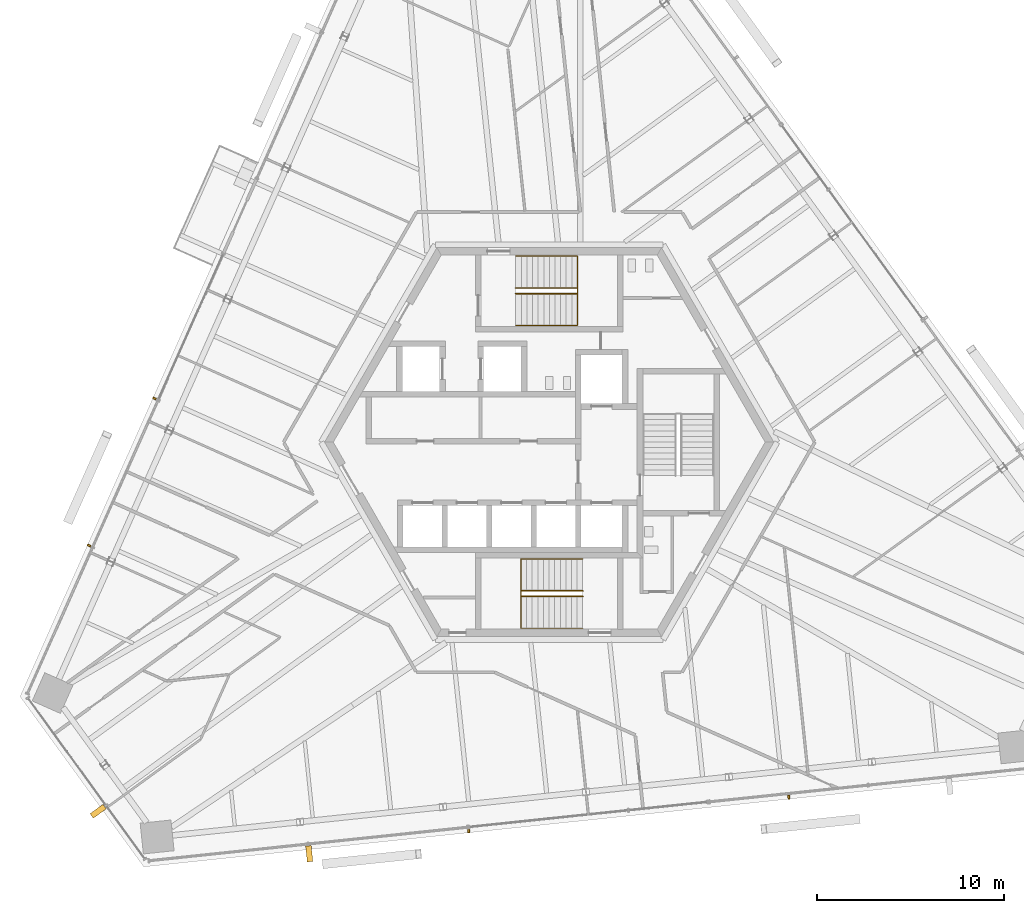
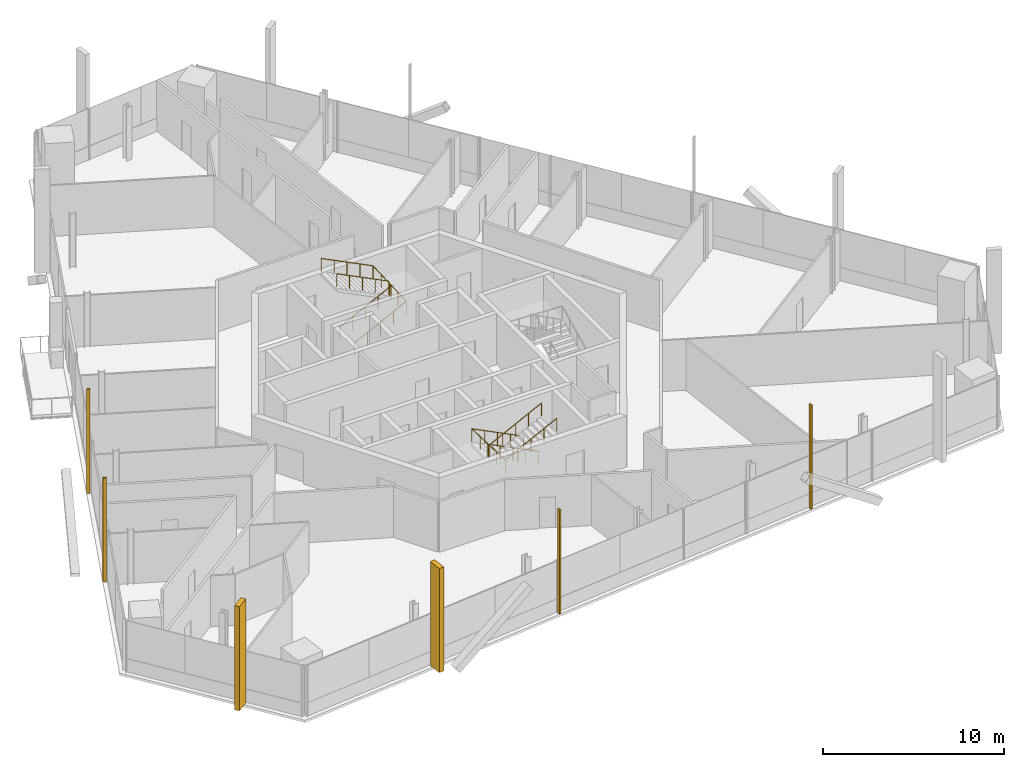
# One storey, part 15 of 20: 6 shading devices, 4 railings.
"""IFC4 building model written with IfcOpenShell, lengths in metres."""

from ifc_helpers import new_model, si_unit, direction, frame, origin, origin_2d, place, context, subcontext, project, spatial, rectangle, circle, extrude, source, transform, mapped, material, type_object, element, save


model = new_model("IFC4")

# Units and contexts
model_context = context("Model", 3, precision=1e-05, world=origin(), true_north=direction((0.0, 1.0)))
body_context = subcontext(model_context, "Body", "Model", "MODEL_VIEW")
ifc_project = project(units=[si_unit("LENGTHUNIT", "METRE"), si_unit("AREAUNIT", "SQUARE_METRE"), si_unit("VOLUMEUNIT", "CUBIC_METRE"), si_unit("PLANEANGLEUNIT", "RADIAN"), si_unit("MASSUNIT", "GRAM", prefix="KILO")], contexts=[model_context])

# Site, building, storey
site_placement = place(None, origin())
site = spatial("IfcSite", under=ifc_project, at=site_placement, CompositionType="ELEMENT")
building_placement = place(site_placement, origin())
building = spatial("IfcBuilding", under=site, at=building_placement, Name="Triune Harvest Tower", CompositionType="ELEMENT")
storey_placement = place(building_placement, frame((0.0, 0.0, 226.89990234375)))
storey = spatial("IfcBuildingStorey", under=building, at=storey_placement, Name="L59", CompositionType="ELEMENT", Elevation=226.89990234375)

# Railings
ifc_material_1 = material(Name="Stainless steel AISI 316", Category="steel")
railing_type = type_object("IfcRailingType", Name="Stair handrail", PredefinedType="HANDRAIL", material=ifc_material_1)
shared_shape_1 = source(origin(), body_context, "Body", "SweptSolid", [
    extrude(circle(Radius=0.02392578125, at=origin_2d()), frame((0.0, 0.0, 0.8759765625), z_axis=(0.894440424912, 0.0, 0.447187126696), x_axis=(0.0, 1.0, 0.0)), (0.0, 0.0, 1.0), 3.689453125),
    extrude(circle(Radius=0.02392578125, at=origin_2d()), frame((3.300048828125, 0.0, 2.52587890625), z_axis=(0.0, 0.999177620331, 0.040547293732), x_axis=(-1.0, 0.0, 0.0)), (0.0, 0.0, 1.0), 3.702880859375),
    extrude(circle(Radius=0.02392578125, at=origin_2d()), frame((3.300048828125, 3.699951171875, 2.67578125), z_axis=(-0.894440424912, 0.0, 0.447187126696), x_axis=(0.0, -1.0, 0.0)), (0.0, 0.0, 1.0), 3.689453125),
    extrude(circle(Radius=0.02099609375, at=origin_2d()), origin(), (0.0, 0.0, 1.0), 0.851806640625),
    extrude(circle(Radius=0.02099609375, at=origin_2d()), frame((0.824951171875, 0.0, 0.41259765625)), (0.0, 0.0, 1.0), 0.851806640625),
    extrude(circle(Radius=0.02099609375, at=origin_2d()), frame((1.64990234375, 0.0, 0.824951171875)), (0.0, 0.0, 1.0), 0.851806640625),
    extrude(circle(Radius=0.02099609375, at=origin_2d()), frame((2.47509765625, 0.0, 1.2373046875)), (0.0, 0.0, 1.0), 0.851806640625),
    extrude(circle(Radius=0.02099609375, at=origin_2d()), frame((3.300048828125, 0.0, 1.64990234375)), (0.0, 0.0, 1.0), 0.851806640625),
    extrude(circle(Radius=0.02099609375, at=origin_2d()), frame((3.300048828125, 0.925048828125, 1.6875)), (0.0, 0.0, 1.0), 0.851806640625),
    extrude(circle(Radius=0.02099609375, at=origin_2d()), frame((3.300048828125, 1.85009765625, 1.72509765625)), (0.0, 0.0, 1.0), 0.851806640625),
    extrude(circle(Radius=0.02099609375, at=origin_2d()), frame((3.300048828125, 2.77490234375, 1.762451171875)), (0.0, 0.0, 1.0), 0.851806640625),
    extrude(circle(Radius=0.02099609375, at=origin_2d()), frame((3.300048828125, 3.699951171875, 1.800048828125)), (0.0, 0.0, 1.0), 0.851806640625),
    extrude(circle(Radius=0.02099609375, at=origin_2d()), frame((2.47509765625, 3.699951171875, 2.21240234375)), (0.0, 0.0, 1.0), 0.851806640625),
    extrude(circle(Radius=0.02099609375, at=origin_2d()), frame((1.64990234375, 3.699951171875, 2.625)), (0.0, 0.0, 1.0), 0.851806640625),
    extrude(circle(Radius=0.02099609375, at=origin_2d()), frame((0.824951171875, 3.699951171875, 3.03759765625)), (0.0, 0.0, 1.0), 0.851806640625),
    extrude(circle(Radius=0.02099609375, at=origin_2d()), frame((0.0, 3.699951171875, 3.449951171875)), (0.0, 0.0, 1.0), 0.851806640625),
])
railing_1_placement = place(storey_placement, frame((-1.7900390625, 6.239990234375, 0.150146484375)))
element("IfcRailing", 1, at=railing_1_placement, inside=storey, type_object=railing_type, Name="Exit stair north wall handrail", PredefinedType="HANDRAIL", context=body_context, shape_type="MappedRepresentation", body=[
    mapped(shared_shape_1, transform((0.0, 0.0, 0.0), scale=1.0)),
])
shared_shape_2 = source(origin(), body_context, "Body", "SweptSolid", [
    extrude(circle(Radius=0.02392578125, at=origin_2d()), frame((0.0, 0.0, 0.8759765625), z_axis=(0.894440424912, 0.0, 0.447187126696), x_axis=(0.0, 1.0, 0.0)), (0.0, 0.0, 1.0), 3.689453125),
    extrude(circle(Radius=0.02392578125, at=origin_2d()), frame((3.300048828125, 0.0, 2.52587890625), z_axis=(0.0, 0.894281613681, 0.447504631744), x_axis=(-1.0, 0.0, 0.0)), (0.0, 0.0, 1.0), 0.33544921875),
    extrude(circle(Radius=0.02392578125, at=origin_2d()), frame((3.300048828125, 0.300048828125, 2.67578125), z_axis=(-0.894440424912, 0.0, 0.447187126696), x_axis=(0.0, -1.0, 0.0)), (0.0, 0.0, 1.0), 3.689453125),
    extrude(circle(Radius=0.02099609375, at=origin_2d()), origin(), (0.0, 0.0, 1.0), 0.851806640625),
    extrude(circle(Radius=0.02099609375, at=origin_2d()), frame((0.824951171875, 0.0, 0.41259765625)), (0.0, 0.0, 1.0), 0.851806640625),
    extrude(circle(Radius=0.02099609375, at=origin_2d()), frame((1.64990234375, 0.0, 0.824951171875)), (0.0, 0.0, 1.0), 0.851806640625),
    extrude(circle(Radius=0.02099609375, at=origin_2d()), frame((2.47509765625, 0.0, 1.2373046875)), (0.0, 0.0, 1.0), 0.851806640625),
    extrude(circle(Radius=0.02099609375, at=origin_2d()), frame((3.300048828125, 0.0, 1.64990234375)), (0.0, 0.0, 1.0), 0.851806640625),
    extrude(circle(Radius=0.02099609375, at=origin_2d()), frame((3.300048828125, 0.300048828125, 1.800048828125)), (0.0, 0.0, 1.0), 0.851806640625),
    extrude(circle(Radius=0.02099609375, at=origin_2d()), frame((2.47509765625, 0.300048828125, 2.21240234375)), (0.0, 0.0, 1.0), 0.851806640625),
    extrude(circle(Radius=0.02099609375, at=origin_2d()), frame((1.64990234375, 0.300048828125, 2.625)), (0.0, 0.0, 1.0), 0.851806640625),
    extrude(circle(Radius=0.02099609375, at=origin_2d()), frame((0.824951171875, 0.300048828125, 3.03759765625)), (0.0, 0.0, 1.0), 0.851806640625),
    extrude(circle(Radius=0.02099609375, at=origin_2d()), frame((0.0, 0.300048828125, 3.449951171875)), (0.0, 0.0, 1.0), 0.851806640625),
])
railing_2_placement = place(storey_placement, frame((-1.7900390625, 7.93994140625, 0.150146484375)))
element("IfcRailing", 2, at=railing_2_placement, inside=storey, type_object=railing_type, Name="Exit stair north centre handrail", PredefinedType="HANDRAIL", context=body_context, shape_type="MappedRepresentation", body=[
    mapped(shared_shape_2, transform((0.0, 0.0, 0.0), scale=1.0)),
])
shared_shape_3 = source(origin(), body_context, "Body", "SweptSolid", [
    extrude(circle(Radius=0.02392578125, at=origin_2d()), frame((0.0, 0.0, 0.8759765625), z_axis=(-0.894440424912, 0.0, 0.447187126696), x_axis=(0.0, -1.0, 0.0)), (0.0, 0.0, 1.0), 3.689453125),
    extrude(circle(Radius=0.02392578125, at=origin_2d()), frame((-3.300048828125, 0.0, 2.52587890625), z_axis=(0.0, -0.999177620331, 0.040547293732), x_axis=(1.0, 0.0, 0.0)), (0.0, 0.0, 1.0), 3.702880859375),
    extrude(circle(Radius=0.02392578125, at=origin_2d()), frame((-3.300048828125, -3.699951171875, 2.67578125), z_axis=(0.894440424912, 0.0, 0.447187126696), x_axis=(0.0, 1.0, 0.0)), (0.0, 0.0, 1.0), 3.689453125),
    extrude(circle(Radius=0.02099609375, at=origin_2d()), origin(), (0.0, 0.0, 1.0), 0.851806640625),
    extrude(circle(Radius=0.02099609375, at=origin_2d()), frame((-0.824951171875, 0.0, 0.41259765625)), (0.0, 0.0, 1.0), 0.851806640625),
    extrude(circle(Radius=0.02099609375, at=origin_2d()), frame((-1.64990234375, 0.0, 0.824951171875)), (0.0, 0.0, 1.0), 0.851806640625),
    extrude(circle(Radius=0.02099609375, at=origin_2d()), frame((-2.47509765625, 0.0, 1.2373046875)), (0.0, 0.0, 1.0), 0.851806640625),
    extrude(circle(Radius=0.02099609375, at=origin_2d()), frame((-3.300048828125, 0.0, 1.64990234375)), (0.0, 0.0, 1.0), 0.851806640625),
    extrude(circle(Radius=0.02099609375, at=origin_2d()), frame((-3.300048828125, -0.925048828125, 1.6875)), (0.0, 0.0, 1.0), 0.851806640625),
    extrude(circle(Radius=0.02099609375, at=origin_2d()), frame((-3.300048828125, -1.85009765625, 1.72509765625)), (0.0, 0.0, 1.0), 0.851806640625),
    extrude(circle(Radius=0.02099609375, at=origin_2d()), frame((-3.300048828125, -2.77490234375, 1.762451171875)), (0.0, 0.0, 1.0), 0.851806640625),
    extrude(circle(Radius=0.02099609375, at=origin_2d()), frame((-3.300048828125, -3.699951171875, 1.800048828125)), (0.0, 0.0, 1.0), 0.851806640625),
    extrude(circle(Radius=0.02099609375, at=origin_2d()), frame((-2.47509765625, -3.699951171875, 2.21240234375)), (0.0, 0.0, 1.0), 0.851806640625),
    extrude(circle(Radius=0.02099609375, at=origin_2d()), frame((-1.64990234375, -3.699951171875, 2.625)), (0.0, 0.0, 1.0), 0.851806640625),
    extrude(circle(Radius=0.02099609375, at=origin_2d()), frame((-0.824951171875, -3.699951171875, 3.03759765625)), (0.0, 0.0, 1.0), 0.851806640625),
    extrude(circle(Radius=0.02099609375, at=origin_2d()), frame((0.0, -3.699951171875, 3.449951171875)), (0.0, 0.0, 1.0), 0.851806640625),
])
railing_3_placement = place(storey_placement, frame((1.7900390625, -6.239990234375, 0.150146484375)))
element("IfcRailing", 3, at=railing_3_placement, inside=storey, type_object=railing_type, Name="Exit stair south wall handrail", PredefinedType="HANDRAIL", context=body_context, shape_type="MappedRepresentation", body=[
    mapped(shared_shape_3, transform((0.0, 0.0, 0.0), scale=1.0)),
])
shared_shape_4 = source(origin(), body_context, "Body", "SweptSolid", [
    extrude(circle(Radius=0.02392578125, at=origin_2d()), frame((0.0, 0.0, 0.8759765625), z_axis=(-0.894440424912, 0.0, 0.447187126696), x_axis=(0.0, -1.0, 0.0)), (0.0, 0.0, 1.0), 3.689453125),
    extrude(circle(Radius=0.02392578125, at=origin_2d()), frame((-3.300048828125, 0.0, 2.52587890625), z_axis=(0.0, -0.894281613681, 0.447504631744), x_axis=(1.0, 0.0, 0.0)), (0.0, 0.0, 1.0), 0.33544921875),
    extrude(circle(Radius=0.02392578125, at=origin_2d()), frame((-3.300048828125, -0.300048828125, 2.67578125), z_axis=(0.894440424912, 0.0, 0.447187126696), x_axis=(0.0, 1.0, 0.0)), (0.0, 0.0, 1.0), 3.689453125),
    extrude(circle(Radius=0.02099609375, at=origin_2d()), origin(), (0.0, 0.0, 1.0), 0.851806640625),
    extrude(circle(Radius=0.02099609375, at=origin_2d()), frame((-0.824951171875, 0.0, 0.41259765625)), (0.0, 0.0, 1.0), 0.851806640625),
    extrude(circle(Radius=0.02099609375, at=origin_2d()), frame((-1.64990234375, 0.0, 0.824951171875)), (0.0, 0.0, 1.0), 0.851806640625),
    extrude(circle(Radius=0.02099609375, at=origin_2d()), frame((-2.47509765625, 0.0, 1.2373046875)), (0.0, 0.0, 1.0), 0.851806640625),
    extrude(circle(Radius=0.02099609375, at=origin_2d()), frame((-3.300048828125, 0.0, 1.64990234375)), (0.0, 0.0, 1.0), 0.851806640625),
    extrude(circle(Radius=0.02099609375, at=origin_2d()), frame((-3.300048828125, -0.300048828125, 1.800048828125)), (0.0, 0.0, 1.0), 0.851806640625),
    extrude(circle(Radius=0.02099609375, at=origin_2d()), frame((-2.47509765625, -0.300048828125, 2.21240234375)), (0.0, 0.0, 1.0), 0.851806640625),
    extrude(circle(Radius=0.02099609375, at=origin_2d()), frame((-1.64990234375, -0.300048828125, 2.625)), (0.0, 0.0, 1.0), 0.851806640625),
    extrude(circle(Radius=0.02099609375, at=origin_2d()), frame((-0.824951171875, -0.300048828125, 3.03759765625)), (0.0, 0.0, 1.0), 0.851806640625),
    extrude(circle(Radius=0.02099609375, at=origin_2d()), frame((0.0, -0.300048828125, 3.449951171875)), (0.0, 0.0, 1.0), 0.851806640625),
])
railing_4_placement = place(storey_placement, frame((1.7900390625, -7.93994140625, 0.150146484375)))
element("IfcRailing", 4, at=railing_4_placement, inside=storey, type_object=railing_type, Name="Exit stair south centre handrail", PredefinedType="HANDRAIL", context=body_context, shape_type="MappedRepresentation", body=[
    mapped(shared_shape_4, transform((0.0, 0.0, 0.0), scale=1.0)),
])

# Shading devices
ifc_material_2 = material(Name="Aluminium bronze anodised", Category="aluminium")
shared_shape_5 = source(origin(), body_context, "Body", "SweptSolid", [
    extrude(rectangle(XDim=0.10009765625, YDim=0.199951171875, at=origin_2d()), origin(), (0.0, 0.0, 1.0), 7.0400390625),
])
for number, where, z_axis, x_axis, name in (
    (5, (-21.078125, 2.330078125, 0.0), (0.0, 0.0, 1.0), (-0.406737912248, -0.91354489257, 0.0), "FN-1 fin B6-F3.8 L59"),
    (6, (-24.5771484375, -5.52880859375, 0.0), (0.0, 0.0, 1.0), (-0.406737912248, -0.91354489257, 0.0), "FN-1 fin B6-F3.10 L59"),
    (7, (-4.302734375, -20.76708984375, 0.0), (0.0, 0.0, 1.0), (0.994521747579, 0.104529869379, 0.0), "FN-1 fin B6-F5.5 L59"),
    (8, (12.802978515625, -18.968994140625, 0.0), (0.0, 0.0, 1.0), (0.994521747579, 0.104529869379, 0.0), "FN-1 fin B6-F5.9 L59"),
):
    element("IfcShadingDevice", number, at=place(storey_placement, frame(where, z_axis=z_axis, x_axis=x_axis)), inside=storey, material=ifc_material_2, Name=name, ObjectType="FIN", PredefinedType="USERDEFINED", context=body_context, shape_type="MappedRepresentation", body=[
        mapped(shared_shape_5, transform((0.0, 0.0, 0.0), scale=1.0)),
    ])
shared_shape_6 = source(origin(), body_context, "Body", "SweptSolid", [
    extrude(rectangle(XDim=0.300048828125, YDim=0.85009765625, at=origin_2d()), origin(), (0.0, 0.0, 1.0), 7.0400390625),
])
for number, where, z_axis, x_axis, name in (
    (9, (-24.098388671875, -19.718505859375, 0.0), (0.0, 0.0, 1.0), (0.587788936013, -0.809014317982, 0.0), "FN-2 fin B6-F4.3 L59"),
    (10, (-12.82177734375, -21.9892578125, 0.0), (0.0, 0.0, 1.0), (0.994521747579, 0.104529869379, 0.0), "FN-2 fin B6-F5.3 L59"),
):
    element("IfcShadingDevice", number, at=place(storey_placement, frame(where, z_axis=z_axis, x_axis=x_axis)), inside=storey, material=ifc_material_2, Name=name, ObjectType="FIN", PredefinedType="USERDEFINED", context=body_context, shape_type="MappedRepresentation", body=[
        mapped(shared_shape_6, transform((0.0, 0.0, 0.0), scale=1.0)),
    ])

save(model, "model.ifc")
